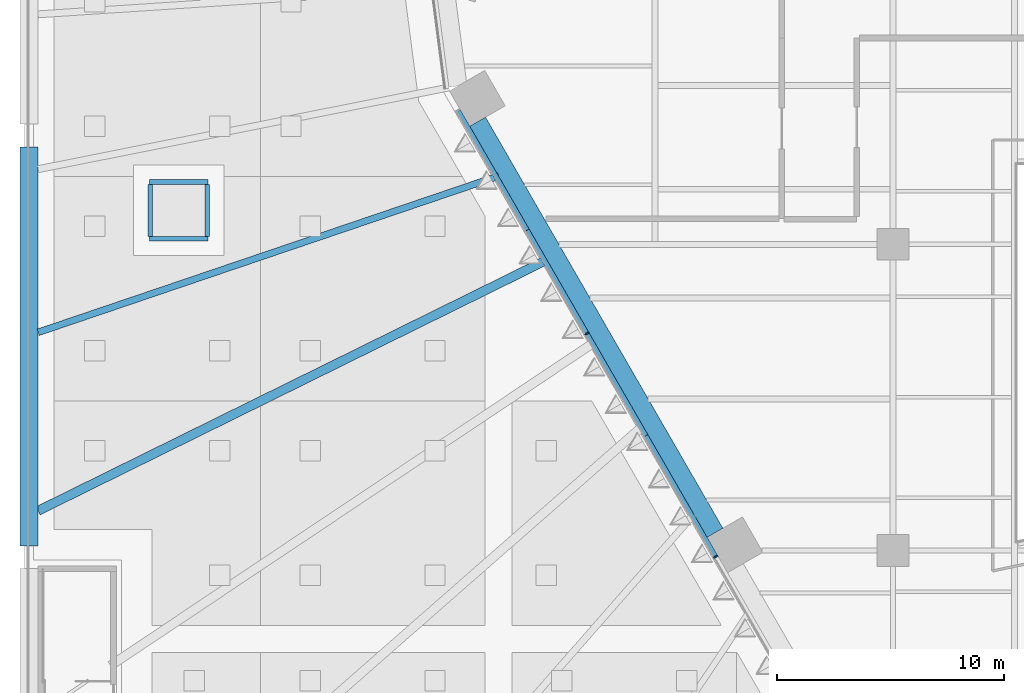
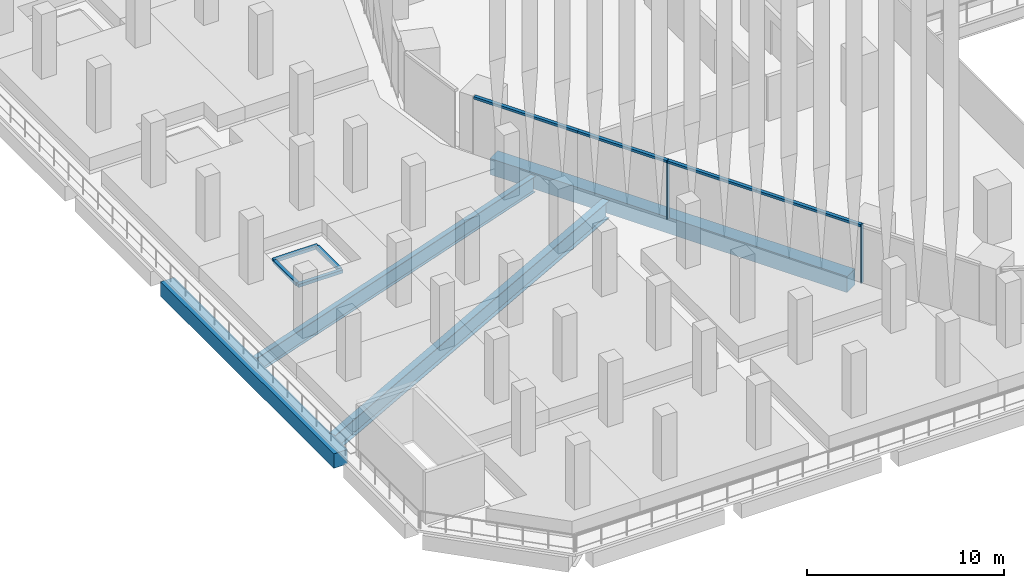
# One storey, part 2 of 51: 10 members, 4 beams, 1 element without a shape of its own.
"""IFC4 building model written with IfcOpenShell, lengths in metres."""

from ifc_helpers import new_model, si_unit, direction, frame, origin, origin_2d, place, context, subcontext, project, spatial, rectangle, i_section, extrude, material, layer, layer_set, material_profile, profile_set, type_object, element, aggregate, save


model = new_model("IFC4")

# Units and contexts
model_context = context("Model", 3, precision=1e-05, world=origin(), true_north=direction((0.0, 1.0)))
body_context = subcontext(model_context, "Body", "Model", "MODEL_VIEW")
ifc_project = project(units=[si_unit("LENGTHUNIT", "METRE"), si_unit("AREAUNIT", "SQUARE_METRE"), si_unit("VOLUMEUNIT", "CUBIC_METRE"), si_unit("PLANEANGLEUNIT", "RADIAN"), si_unit("MASSUNIT", "GRAM", prefix="KILO")], contexts=[model_context])

# Site, building, storey
site_placement = place(None, origin())
site = spatial("IfcSite", under=ifc_project, at=site_placement, CompositionType="ELEMENT")
building_placement = place(site_placement, origin())
building = spatial("IfcBuilding", under=site, at=building_placement, Name="Isthmus Gate Tower", CompositionType="ELEMENT")
storey_placement = place(building_placement, frame((0.0, 0.0, 36.0)))
storey = spatial("IfcBuildingStorey", under=building, at=storey_placement, Name="L06", CompositionType="ELEMENT", Elevation=36.0)

# Curtain wall, members
ifc_material_1 = material(Name="Aluminium, pale champagne anodised", Category="aluminium")
ifc_layer = layer(ifc_material_1, 0.199951171875)
ifc_layer_set = layer_set([ifc_layer], Name="CW-1 UNITISED CURTAIN WALL 200 DEEP")
curtain_wall_type = type_object("IfcCurtainWallType", Name="CW-1 UNITISED CURTAIN WALL 200 DEEP", PredefinedType="NOTDEFINED", material=ifc_layer_set)
curtain_wall_placement = place(storey_placement, origin())
curtain_wall = element("IfcCurtainWall", 1, at=curtain_wall_placement, inside=storey, type_object=curtain_wall_type, Name="CW-1 SW L06", PredefinedType="NOTDEFINED")
ifc_material_2 = material(Name="Aluminium, pale champagne anodised", Category="aluminium")
ifc_material_profile_1 = material_profile(ifc_material_2, rectangle(XDim=0.06005859375, YDim=0.199951171875, at=origin_2d()), Name="60x200")
ifc_profile_set_1 = profile_set([ifc_material_profile_1], Name="Aluminium, pale champagne anodised")
member_type_1 = type_object("IfcMemberType", Name="CW-1 MULLION 60 X 200", PredefinedType="MULLION", material=ifc_profile_set_1)
member_1_placement = place(storey_placement, frame((-27.001708984375, -17.431640625, 0.0), z_axis=(0.0, 0.0, 1.0), x_axis=(0.5, -0.866025403784, 0.0)))
member_1 = element("IfcMember", 2, at=member_1_placement, type_object=member_type_1, Name="CW-1 mullion", PredefinedType="MULLION", context=body_context, shape_type="SweptSolid", body=[
    extrude(rectangle(XDim=0.06005859375, YDim=0.199951171875, at=origin_2d()), origin(), (0.0, 0.0, 1.0), 3.64990234375),
])
member_2_placement = place(storey_placement, frame((-21.318115234375, -27.27587890625, 0.0), z_axis=(0.0, 0.0, 1.0), x_axis=(0.5, -0.866025403784, 0.0)))
member_2 = element("IfcMember", 3, at=member_2_placement, type_object=member_type_1, Name="CW-1 mullion", PredefinedType="MULLION", context=body_context, shape_type="SweptSolid", body=[
    extrude(rectangle(XDim=0.06005859375, YDim=0.199951171875, at=origin_2d()), origin(), (0.0, 0.0, 1.0), 3.64990234375),
])
ifc_material_3 = material(Name="Aluminium, pale champagne anodised", Category="aluminium")
ifc_material_profile_2 = material_profile(ifc_material_3, rectangle(XDim=0.199951171875, YDim=0.14990234375, at=origin_2d()), Name="200x150")
ifc_profile_set_2 = profile_set([ifc_material_profile_2], Name="Aluminium, pale champagne anodised")
member_type_2 = type_object("IfcMemberType", Name="CW-1 TRANSOM 200 X 150", PredefinedType="USERDEFINED", material=ifc_profile_set_2)
member_3_placement = place(storey_placement, frame((-32.67041015625, -7.61328125, 3.574951171875), z_axis=(0.49999965181, -0.866025604812, 0.0), x_axis=(0.866025604812, 0.49999965181, 0.0)))
member_3 = element("IfcMember", 4, at=member_3_placement, type_object=member_type_2, Name="CW-1 transom", ObjectType="TRANSOM", PredefinedType="USERDEFINED", context=body_context, shape_type="SweptSolid", body=[
    extrude(rectangle(XDim=0.199951171875, YDim=0.14990234375, at=origin_2d()), origin(), (0.0, 0.0, 1.0), 6.07373046875),
])
member_4_placement = place(storey_placement, frame((-29.633544921875, -12.873291015625, 3.574951171875), z_axis=(0.500017221754, -0.866015460572, 0.0), x_axis=(0.866015460572, 0.500017221754, 0.0)))
member_4 = element("IfcMember", 5, at=member_4_placement, type_object=member_type_2, Name="CW-1 transom", ObjectType="TRANSOM", PredefinedType="USERDEFINED", context=body_context, shape_type="SweptSolid", body=[
    extrude(rectangle(XDim=0.199951171875, YDim=0.14990234375, at=origin_2d()), origin(), (0.0, 0.0, 1.0), 5.233642578125),
])
member_5_placement = place(storey_placement, frame((-26.98681640625, -17.45751953125, 3.574951171875), z_axis=(0.49999612508, -0.866027640959, 0.0), x_axis=(0.866027640959, 0.49999612508, 0.0)))
member_5 = element("IfcMember", 6, at=member_5_placement, type_object=member_type_2, Name="CW-1 transom", ObjectType="TRANSOM", PredefinedType="USERDEFINED", context=body_context, shape_type="SweptSolid", body=[
    extrude(rectangle(XDim=0.199951171875, YDim=0.14990234375, at=origin_2d()), origin(), (0.0, 0.0, 1.0), 5.173828125),
])
member_6_placement = place(storey_placement, frame((-24.39990234375, -21.938232421875, 3.574951171875), z_axis=(0.500017618927, -0.866015231253, 0.0), x_axis=(0.866015231253, 0.500017618927, 0.0)))
member_6 = element("IfcMember", 7, at=member_6_placement, type_object=member_type_2, Name="CW-1 transom", ObjectType="TRANSOM", PredefinedType="USERDEFINED", context=body_context, shape_type="SweptSolid", body=[
    extrude(rectangle(XDim=0.199951171875, YDim=0.14990234375, at=origin_2d()), origin(), (0.0, 0.0, 1.0), 6.133544921875),
])
aggregate(curtain_wall, [member_3, member_4, member_1, member_5, member_6, member_2])

# Beams
ifc_material_4 = material(Name="Concrete f'c 70 MPa", Category="concrete")
ifc_material_profile_3 = material_profile(ifc_material_4, rectangle(XDim=0.800048828125, YDim=0.89990234375, at=origin_2d()), Name="RC 800X900")
ifc_profile_set_3 = profile_set([ifc_material_profile_3], Name="Concrete f'c 70 MPa")
beam_type_1 = type_object("IfcBeamType", Name="RC EDGE BEAM 800 X 900", PredefinedType="BEAM", material=ifc_profile_set_3)
beam_1_placement = place(storey_placement, frame((-51.60009765625, -26.800048828125, -0.60009765625), z_axis=(0.0, 1.0, 0.0), x_axis=(-1.0, 0.0, 0.0)))
element("IfcBeam", 8, at=beam_1_placement, inside=storey, type_object=beam_type_1, Name="str-edgebeam-L06-02", PredefinedType="BEAM", context=body_context, shape_type="SweptSolid", body=[
    extrude(rectangle(XDim=0.800048828125, YDim=0.89990234375, at=origin_2d()), origin(), (0.0, 0.0, 1.0), 17.60009765625),
])
ifc_material_5 = material(Name="Concrete f'c 70 MPa", Category="concrete")
ifc_material_profile_4 = material_profile(ifc_material_5, rectangle(XDim=0.800048828125, YDim=1.0, at=origin_2d()), Name="RC 800X1000")
ifc_profile_set_4 = profile_set([ifc_material_profile_4], Name="Concrete f'c 70 MPa")
beam_type_2 = type_object("IfcBeamType", Name="RC SPANDREL 800 X 1000", PredefinedType="SPANDREL", material=ifc_profile_set_4)
beam_2_placement = place(storey_placement, frame((-21.35009765625, -26.220458984375, -0.5), z_axis=(-0.500004778811, 0.866022644719, 0.0), x_axis=(-0.866022644719, -0.500004778811, 0.0)))
element("IfcBeam", 9, at=beam_2_placement, inside=storey, type_object=beam_type_2, Name="str-spandrel-L06-16", PredefinedType="SPANDREL", context=body_context, shape_type="SweptSolid", body=[
    extrude(rectangle(XDim=0.800048828125, YDim=1.0, at=origin_2d()), origin(), (0.0, 0.0, 1.0), 20.934326171875),
])

# Members
ifc_material_6 = material(Name="Concrete C30/37", Category="concrete")
ifc_material_profile_5 = material_profile(ifc_material_6, rectangle(XDim=0.199951171875, YDim=0.199951171875, at=origin_2d()), Name="200x200")
ifc_profile_set_5 = profile_set([ifc_material_profile_5], Name="Concrete C30/37")
member_type_3 = type_object("IfcMemberType", Name="SKYLIGHT KERB 200 X 200", PredefinedType="USERDEFINED", material=ifc_profile_set_5)
for number, where, z_axis, x_axis, name in (
    (10, (-46.300048828125, -13.25, 0.10009765625), (1.0, 0.0, 0.0), (0.0, 1.0, 0.0), "Skylight kerb"),
    (11, (-46.300048828125, -10.75, 0.10009765625), (1.0, 0.0, 0.0), (0.0, 1.0, 0.0), "Skylight kerb"),
):
    element("IfcMember", number, at=place(storey_placement, frame(where, z_axis=z_axis, x_axis=x_axis)), inside=storey, type_object=member_type_3, Name=name, ObjectType="KERB", PredefinedType="USERDEFINED", context=body_context, shape_type="SweptSolid", body=[
        extrude(rectangle(XDim=0.199951171875, YDim=0.199951171875, at=origin_2d()), origin(), (0.0, 0.0, 1.0), 2.60009765625),
    ])
for number, where, z_axis, x_axis, name in (
    (12, (-46.25, -13.14990234375, 0.10009765625), (0.0, 1.0, 0.0), (-1.0, 0.0, 0.0), "Skylight kerb"),
    (13, (-43.75, -13.14990234375, 0.10009765625), (0.0, 1.0, 0.0), (-1.0, 0.0, 0.0), "Skylight kerb"),
):
    element("IfcMember", number, at=place(storey_placement, frame(where, z_axis=z_axis, x_axis=x_axis)), inside=storey, type_object=member_type_3, Name=name, ObjectType="KERB", PredefinedType="USERDEFINED", context=body_context, shape_type="SweptSolid", body=[
        extrude(rectangle(XDim=0.199951171875, YDim=0.199951171875, at=origin_2d()), origin(), (0.0, 0.0, 1.0), 2.2998046875),
    ])

# Beams
ifc_material_7 = material(Name="Structural steel ASTM A992 Gr 50", Category="steel")
ifc_material_profile_6 = material_profile(ifc_material_7, i_section(OverallWidth=0.29833984375, OverallDepth=0.981201171875, WebThickness=0.015869140625, FlangeThickness=0.025390625, at=origin_2d()), Name="W40X167")
ifc_profile_set_6 = profile_set([ifc_material_profile_6], Name="Structural steel ASTM A992 Gr 50")
beam_type_3 = type_object("IfcBeamType", Name="STEEL LEDGE BEAM W40X167", PredefinedType="JOIST", material=ifc_profile_set_6)
beam_3_placement = place(storey_placement, frame((-30.8955078125, -10.487548828125, -0.640625), z_axis=(-0.94692802357, -0.321445669093, 0.0), x_axis=(0.321445669093, -0.94692802357, 0.0)))
element("IfcBeam", 14, at=beam_3_placement, inside=storey, type_object=beam_type_3, Name="str-ringbeam-L06-00-26", PredefinedType="JOIST", context=body_context, shape_type="SweptSolid", body=[
    extrude(i_section(OverallWidth=0.29833984375, OverallDepth=0.981201171875, WebThickness=0.015869140625, FlangeThickness=0.025390625, at=origin_2d()), origin(), (0.0, 0.0, 1.0), 21.4423828125),
])
ifc_material_8 = material(Name="Structural steel ASTM A992 Gr 50", Category="steel")
ifc_material_profile_7 = material_profile(ifc_material_8, i_section(OverallWidth=0.39990234375, OverallDepth=1.089111328125, WebThickness=0.017578125, FlangeThickness=0.03173828125, at=origin_2d()), Name="W44X230")
ifc_profile_set_7 = profile_set([ifc_material_profile_7], Name="Structural steel ASTM A992 Gr 50")
beam_type_4 = type_object("IfcBeamType", Name="STEEL LEDGE BEAM W44X230", PredefinedType="JOIST", material=ifc_profile_set_7)
beam_4_placement = place(storey_placement, frame((-28.761474609375, -14.18359375, -0.694580078125), z_axis=(-0.896872779528, -0.442288613171, 0.0), x_axis=(0.442288613171, -0.896872779528, 0.0)))
element("IfcBeam", 15, at=beam_4_placement, inside=storey, type_object=beam_type_4, Name="str-ringbeam-L06-00-27", PredefinedType="JOIST", context=body_context, shape_type="SweptSolid", body=[
    extrude(i_section(OverallWidth=0.39990234375, OverallDepth=1.089111328125, WebThickness=0.017578125, FlangeThickness=0.03173828125, at=origin_2d()), origin(), (0.0, 0.0, 1.0), 25.0185546875),
])

save(model, "model.ifc")
